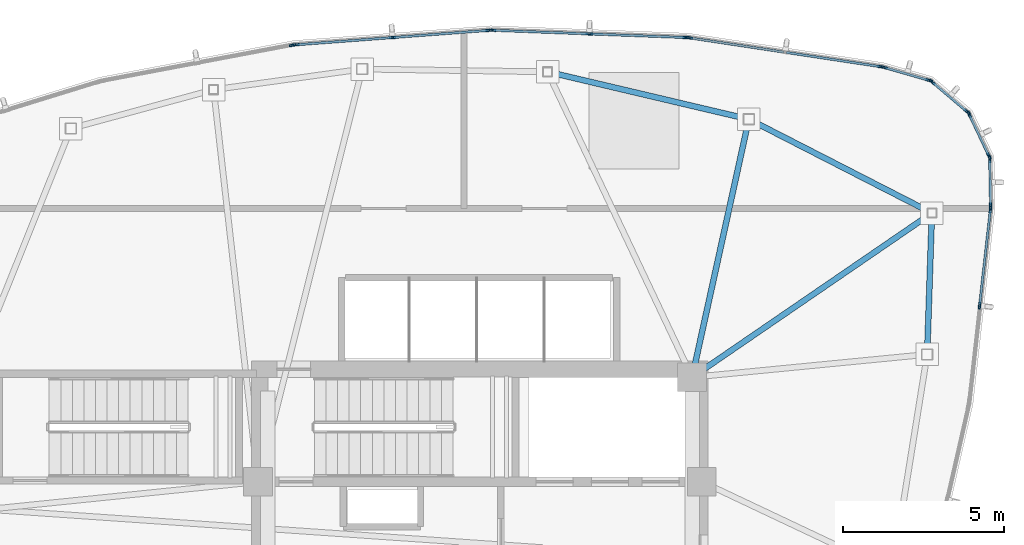
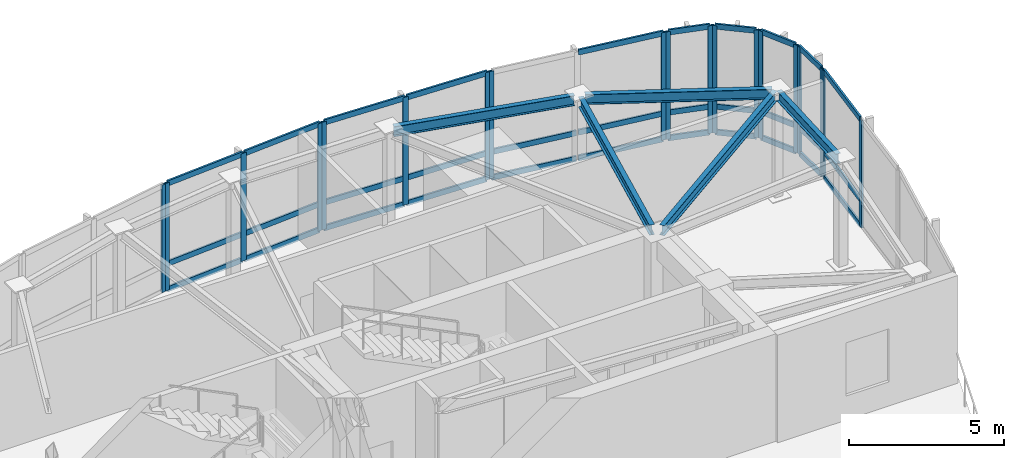
# One storey, part 7 of 16: 51 members, 5 beams, 9 elements without a shape of their own.
"""IFC4 building model written with IfcOpenShell, lengths in metres."""

from ifc_helpers import new_model, si_unit, direction, frame, origin, origin_2d, place, context, subcontext, project, spatial, hollow_rectangle, i_section, extrude, source, transform, mapped, material, layer, layer_set, material_profile, profile_set, type_object, type_shapes, element, aggregate, save


model = new_model("IFC4")

# Units and contexts
model_context = context("Model", 3, precision=1e-05, world=origin(), true_north=direction((0.0, 1.0)))
body_context = subcontext(model_context, "Body", "Model", "MODEL_VIEW")
ifc_project = project(units=[si_unit("LENGTHUNIT", "METRE"), si_unit("AREAUNIT", "SQUARE_METRE"), si_unit("VOLUMEUNIT", "CUBIC_METRE"), si_unit("PLANEANGLEUNIT", "RADIAN"), si_unit("MASSUNIT", "GRAM", prefix="KILO")], contexts=[model_context])

# Site, building, storey
site_placement = place(None, origin())
site = spatial("IfcSite", under=ifc_project, at=site_placement, CompositionType="ELEMENT")
building_placement = place(site_placement, origin())
building = spatial("IfcBuilding", under=site, at=building_placement, Name="Tavelor Broadcast Tower", CompositionType="ELEMENT")
storey_placement = place(building_placement, frame((0.0, 0.0, 332.10009765625)))
storey = spatial("IfcBuildingStorey", under=building, at=storey_placement, Name="L79", CompositionType="ELEMENT", Elevation=332.10009765625)

# Beams
ifc_material_1 = material(Name="Steel S355", Category="steel")
ifc_material_profile_1 = material_profile(ifc_material_1, i_section(OverallWidth=0.179931640625, OverallDepth=0.39990234375, WebThickness=0.008544921875, FlangeThickness=0.013427734375, at=origin_2d()), Name="IPE 400")
ifc_profile_set_1 = profile_set([ifc_material_profile_1], Name="Steel S355")
beam_type = type_object("IfcBeamType", Name="Crown Ring Spandrel Beam IPE400", PredefinedType="SPANDREL", material=ifc_profile_set_1)
beam_1_placement = place(storey_placement, frame((63.9169921875, 52.089111328125, 4.0498046875), z_axis=(0.033482656619, 0.99943929866, 0.0), x_axis=(-0.99943929866, 0.033482656619, 0.0)))
element("IfcBeam", 1, at=beam_1_placement, inside=storey, type_object=beam_type, Name="L79 Crown Peak A Ring Spandrel 5", PredefinedType="SPANDREL", context=body_context, shape_type="SweptSolid", body=[
    extrude(i_section(OverallWidth=0.179931640625, OverallDepth=0.39990234375, WebThickness=0.008544921875, FlangeThickness=0.013427734375, at=origin_2d()), origin(), (0.0, 0.0, 1.0), 4.068603515625),
])
beam_2_placement = place(storey_placement, frame((63.922119140625, 56.37841796875, 4.0498046875), z_axis=(-0.889973264193, 0.456012707083, 0.0), x_axis=(-0.456012707083, -0.889973264193, 0.0)))
element("IfcBeam", 2, at=beam_2_placement, inside=storey, type_object=beam_type, Name="L79 Crown Peak A Ring Spandrel 6", PredefinedType="SPANDREL", context=body_context, shape_type="SweptSolid", body=[
    extrude(i_section(OverallWidth=0.179931640625, OverallDepth=0.39990234375, WebThickness=0.008544921875, FlangeThickness=0.013427734375, at=origin_2d()), origin(), (0.0, 0.0, 1.0), 6.06689453125),
])
beam_3_placement = place(storey_placement, frame((56.956298828125, 51.444091796875, 4.0498046875), z_axis=(0.825037324604, 0.565078236185, 0.0), x_axis=(-0.565078236185, 0.825037324604, 0.0)))
element("IfcBeam", 3, at=beam_3_placement, inside=storey, type_object=beam_type, Name="L79 Crown Peak A Radial Beam 6", PredefinedType="SPANDREL", context=body_context, shape_type="SweptSolid", body=[
    extrude(i_section(OverallWidth=0.179931640625, OverallDepth=0.39990234375, WebThickness=0.008544921875, FlangeThickness=0.013427734375, at=origin_2d()), origin(), (0.0, 0.0, 1.0), 8.455078125),
])
beam_4_placement = place(storey_placement, frame((58.190185546875, 59.26708984375, 4.0498046875), z_axis=(-0.973331019838, 0.229405156485, 0.0), x_axis=(-0.229405156485, -0.973331019838, 0.0)))
element("IfcBeam", 4, at=beam_4_placement, inside=storey, type_object=beam_type, Name="L79 Crown Peak A Ring Spandrel 7", PredefinedType="SPANDREL", context=body_context, shape_type="SweptSolid", body=[
    extrude(i_section(OverallWidth=0.179931640625, OverallDepth=0.39990234375, WebThickness=0.008544921875, FlangeThickness=0.013427734375, at=origin_2d()), origin(), (0.0, 0.0, 1.0), 6.10009765625),
])
beam_5_placement = place(storey_placement, frame((56.692626953125, 51.621826171875, 4.0498046875), z_axis=(0.21466342247, 0.976688084832, 0.0), x_axis=(-0.976688084832, 0.21466342247, 0.0)))
element("IfcBeam", 5, at=beam_5_placement, inside=storey, type_object=beam_type, Name="L79 Crown Peak A Radial Beam 7", PredefinedType="SPANDREL", context=body_context, shape_type="SweptSolid", body=[
    extrude(i_section(OverallWidth=0.179931640625, OverallDepth=0.39990234375, WebThickness=0.008544921875, FlangeThickness=0.013427734375, at=origin_2d()), origin(), (0.0, 0.0, 1.0), 7.607421875),
])

# Curtain wall, members
ifc_material_2 = material(Name="Architectural Anodized Aluminium", Category="aluminium")
ifc_layer = layer(ifc_material_2, 0.2099609375)
ifc_layer_set = layer_set([ifc_layer], Name="Architectural Anodized Aluminium")
curtain_wall_type = type_object("IfcCurtainWallType", Name="Split-Crown Beacon Curtain Wall CW06", PredefinedType="NOTDEFINED", material=ifc_layer_set)
curtain_wall_1_placement = place(storey_placement, origin())
curtain_wall_1 = element("IfcCurtainWall", 6, at=curtain_wall_1_placement, inside=storey, type_object=curtain_wall_type, Name="L79 Curtain Wall CW06 Run 878", PredefinedType="NOTDEFINED")
ifc_material_profile_2 = material_profile(ifc_material_2, hollow_rectangle(XDim=0.072021484375, YDim=0.2099609375, WallThickness=0.02197265625, at=origin_2d()), Name="RHS 72x210x22")
ifc_profile_set_2 = profile_set([ifc_material_profile_2], Name="Architectural Anodized Aluminium")
member_type_1 = type_object("IfcMemberType", Name="CW06 Extruded Aluminium Mullion 72x210", PredefinedType="MULLION", material=ifc_profile_set_2)
shared_shape_1 = source(origin(), body_context, "Body", "SweptSolid", [
    extrude(hollow_rectangle(XDim=0.072021484375, YDim=0.2099609375, WallThickness=0.02197265625, at=origin_2d()), origin(), (0.0, 0.0, 1.0), 4.25),
])
type_shapes(member_type_1, [shared_shape_1])
member_1_placement = place(storey_placement, frame((65.541748046875, 53.4248046875, 0.0), z_axis=(0.0, 0.0, 1.0), x_axis=(-0.993728401427, 0.111820678752, 0.0)))
member_1 = element("IfcMember", 7, at=member_1_placement, type_object=member_type_1, Name="CW06 mullion 2", PredefinedType="MULLION", context=body_context, shape_type="MappedRepresentation", body=[
    mapped(shared_shape_1, transform((0.0, 0.0, 0.0), scale=1.0)),
])
member_2_placement = place(storey_placement, frame((65.878662109375, 56.41943359375, 0.0), z_axis=(0.0, 0.0, 1.0), x_axis=(-0.993728401427, 0.111820678752, 0.0)))
member_2 = element("IfcMember", 8, at=member_2_placement, type_object=member_type_1, Name="CW06 mullion 3", PredefinedType="MULLION", context=body_context, shape_type="MappedRepresentation", body=[
    mapped(shared_shape_1, transform((0.0, 0.0, 0.0), scale=1.0)),
])

curtain_wall_2_placement = place(storey_placement, origin())
curtain_wall_2 = element("IfcCurtainWall", 9, at=curtain_wall_2_placement, inside=storey, type_object=curtain_wall_type, Name="L79 Curtain Wall CW06 Run 879", PredefinedType="NOTDEFINED")
member_3_placement = place(storey_placement, frame((65.883544921875, 56.521240234375, 0.0), z_axis=(0.0, 0.0, 1.0), x_axis=(-0.99983158558, -0.018352124602, 0.0)))
member_3 = element("IfcMember", 10, at=member_3_placement, type_object=member_type_1, Name="CW06 mullion 1", PredefinedType="MULLION", context=body_context, shape_type="MappedRepresentation", body=[
    mapped(shared_shape_1, transform((0.0, 0.0, 0.0), scale=1.0)),
])
member_4_placement = place(storey_placement, frame((65.856689453125, 57.980224609375, 0.0), z_axis=(0.0, 0.0, 1.0), x_axis=(-0.99983158558, -0.018352124602, 0.0)))
member_4 = element("IfcMember", 11, at=member_4_placement, type_object=member_type_1, Name="CW06 mullion 2", PredefinedType="MULLION", context=body_context, shape_type="MappedRepresentation", body=[
    mapped(shared_shape_1, transform((0.0, 0.0, 0.0), scale=1.0)),
])

curtain_wall_3_placement = place(storey_placement, origin())
curtain_wall_3 = element("IfcCurtainWall", 12, at=curtain_wall_3_placement, inside=storey, type_object=curtain_wall_type, Name="L79 Curtain Wall CW06 Run 880", PredefinedType="NOTDEFINED")
member_5_placement = place(storey_placement, frame((65.833984375, 58.0771484375, 0.0), z_axis=(0.0, 0.0, 1.0), x_axis=(-0.903670411666, -0.428228662142, 0.0)))
member_5 = element("IfcMember", 13, at=member_5_placement, type_object=member_type_1, Name="CW06 mullion 1", PredefinedType="MULLION", context=body_context, shape_type="MappedRepresentation", body=[
    mapped(shared_shape_1, transform((0.0, 0.0, 0.0), scale=1.0)),
])
member_6_placement = place(storey_placement, frame((65.218017578125, 59.376953125, 0.0), z_axis=(0.0, 0.0, 1.0), x_axis=(-0.903670411666, -0.428228662142, 0.0)))
member_6 = element("IfcMember", 14, at=member_6_placement, type_object=member_type_1, Name="CW06 mullion 2", PredefinedType="MULLION", context=body_context, shape_type="MappedRepresentation", body=[
    mapped(shared_shape_1, transform((0.0, 0.0, 0.0), scale=1.0)),
])

curtain_wall_4_placement = place(storey_placement, origin())
curtain_wall_4 = element("IfcCurtainWall", 15, at=curtain_wall_4_placement, inside=storey, type_object=curtain_wall_type, Name="L79 Curtain Wall CW06 Run 881", PredefinedType="NOTDEFINED")
member_7_placement = place(storey_placement, frame((65.157470703125, 59.455810546875, 0.0), z_axis=(0.0, 0.0, 1.0), x_axis=(-0.647469645256, -0.762091240254, 0.0)))
member_7 = element("IfcMember", 16, at=member_7_placement, type_object=member_type_1, Name="CW06 mullion 1", PredefinedType="MULLION", context=body_context, shape_type="MappedRepresentation", body=[
    mapped(shared_shape_1, transform((0.0, 0.0, 0.0), scale=1.0)),
])
member_8_placement = place(storey_placement, frame((64.0615234375, 60.38720703125, 0.0), z_axis=(0.0, 0.0, 1.0), x_axis=(-0.647469645256, -0.762091240254, 0.0)))
member_8 = element("IfcMember", 17, at=member_8_placement, type_object=member_type_1, Name="CW06 mullion 2", PredefinedType="MULLION", context=body_context, shape_type="MappedRepresentation", body=[
    mapped(shared_shape_1, transform((0.0, 0.0, 0.0), scale=1.0)),
])

curtain_wall_5_placement = place(storey_placement, origin())
curtain_wall_5 = element("IfcCurtainWall", 18, at=curtain_wall_5_placement, inside=storey, type_object=curtain_wall_type, Name="L79 Curtain Wall CW06 Run 882", PredefinedType="NOTDEFINED")
member_9_placement = place(storey_placement, frame((63.973388671875, 60.43408203125, 0.0), z_axis=(0.0, 0.0, 1.0), x_axis=(-0.276514775884, -0.961009666298, 0.0)))
member_9 = element("IfcMember", 19, at=member_9_placement, type_object=member_type_1, Name="CW06 mullion 1", PredefinedType="MULLION", context=body_context, shape_type="MappedRepresentation", body=[
    mapped(shared_shape_1, transform((0.0, 0.0, 0.0), scale=1.0)),
])
member_10_placement = place(storey_placement, frame((62.5712890625, 60.837646484375, 0.0), z_axis=(0.0, 0.0, 1.0), x_axis=(-0.276514775884, -0.961009666298, 0.0)))
member_10 = element("IfcMember", 20, at=member_10_placement, type_object=member_type_1, Name="CW06 mullion 2", PredefinedType="MULLION", context=body_context, shape_type="MappedRepresentation", body=[
    mapped(shared_shape_1, transform((0.0, 0.0, 0.0), scale=1.0)),
])

curtain_wall_6_placement = place(storey_placement, origin())
curtain_wall_6 = element("IfcCurtainWall", 21, at=curtain_wall_6_placement, inside=storey, type_object=curtain_wall_type, Name="L79 Curtain Wall CW06 Run 883", PredefinedType="NOTDEFINED")
member_11_placement = place(storey_placement, frame((62.4716796875, 60.859375, 0.0), z_axis=(0.0, 0.0, 1.0), x_axis=(-0.149205506693, -0.988806207895, 0.0)))
member_11 = element("IfcMember", 22, at=member_11_placement, type_object=member_type_1, Name="CW06 mullion 1", PredefinedType="MULLION", context=body_context, shape_type="MappedRepresentation", body=[
    mapped(shared_shape_1, transform((0.0, 0.0, 0.0), scale=1.0)),
])
member_12_placement = place(storey_placement, frame((56.51220703125, 61.758544921875, 0.0), z_axis=(0.0, 0.0, 1.0), x_axis=(-0.149205506693, -0.988806207895, 0.0)))
member_12 = element("IfcMember", 23, at=member_12_placement, type_object=member_type_1, Name="CW06 mullion 3", PredefinedType="MULLION", context=body_context, shape_type="MappedRepresentation", body=[
    mapped(shared_shape_1, transform((0.0, 0.0, 0.0), scale=1.0)),
])

curtain_wall_7_placement = place(storey_placement, origin())
curtain_wall_7 = element("IfcCurtainWall", 24, at=curtain_wall_7_placement, inside=storey, type_object=curtain_wall_type, Name="L79 Curtain Wall CW06 Run 884", PredefinedType="NOTDEFINED")
member_13_placement = place(storey_placement, frame((56.410888671875, 61.76806640625, 0.0), z_axis=(0.0, 0.0, 1.0), x_axis=(-0.037457904524, -0.999298206437, 0.0)))
member_13 = element("IfcMember", 25, at=member_13_placement, type_object=member_type_1, Name="CW06 mullion 1", PredefinedType="MULLION", context=body_context, shape_type="MappedRepresentation", body=[
    mapped(shared_shape_1, transform((0.0, 0.0, 0.0), scale=1.0)),
])
member_14_placement = place(storey_placement, frame((53.39892578125, 61.881103515625, 0.0), z_axis=(0.0, 0.0, 1.0), x_axis=(-0.037457904524, -0.999298206437, 0.0)))
member_14 = element("IfcMember", 26, at=member_14_placement, type_object=member_type_1, Name="CW06 mullion 2", PredefinedType="MULLION", context=body_context, shape_type="MappedRepresentation", body=[
    mapped(shared_shape_1, transform((0.0, 0.0, 0.0), scale=1.0)),
])
member_15_placement = place(storey_placement, frame((50.386962890625, 61.993896484375, 0.0), z_axis=(0.0, 0.0, 1.0), x_axis=(-0.037457904524, -0.999298206437, 0.0)))
member_15 = element("IfcMember", 27, at=member_15_placement, type_object=member_type_1, Name="CW06 mullion 3", PredefinedType="MULLION", context=body_context, shape_type="MappedRepresentation", body=[
    mapped(shared_shape_1, transform((0.0, 0.0, 0.0), scale=1.0)),
])

curtain_wall_8_placement = place(storey_placement, origin())
curtain_wall_8 = element("IfcCurtainWall", 28, at=curtain_wall_8_placement, inside=storey, type_object=curtain_wall_type, Name="L79 Curtain Wall CW06 Run 885", PredefinedType="NOTDEFINED")
member_16_placement = place(storey_placement, frame((50.28515625, 61.9921875, 0.0), z_axis=(0.0, 0.0, 1.0), x_axis=(0.074700700927, -0.997205999421, 0.0)))
member_16 = element("IfcMember", 29, at=member_16_placement, type_object=member_type_1, Name="CW06 mullion 1", PredefinedType="MULLION", context=body_context, shape_type="MappedRepresentation", body=[
    mapped(shared_shape_1, transform((0.0, 0.0, 0.0), scale=1.0)),
])
member_17_placement = place(storey_placement, frame((47.279296875, 61.766845703125, 0.0), z_axis=(0.0, 0.0, 1.0), x_axis=(0.074700700927, -0.997205999421, 0.0)))
member_17 = element("IfcMember", 30, at=member_17_placement, type_object=member_type_1, Name="CW06 mullion 2", PredefinedType="MULLION", context=body_context, shape_type="MappedRepresentation", body=[
    mapped(shared_shape_1, transform((0.0, 0.0, 0.0), scale=1.0)),
])
member_18_placement = place(storey_placement, frame((44.273681640625, 61.541748046875, 0.0), z_axis=(0.0, 0.0, 1.0), x_axis=(0.074700700927, -0.997205999421, 0.0)))
member_18 = element("IfcMember", 31, at=member_18_placement, type_object=member_type_1, Name="CW06 mullion 3", PredefinedType="MULLION", context=body_context, shape_type="MappedRepresentation", body=[
    mapped(shared_shape_1, transform((0.0, 0.0, 0.0), scale=1.0)),
])

# Curtain wall, member
curtain_wall_9_placement = place(storey_placement, origin())
curtain_wall_9 = element("IfcCurtainWall", 32, at=curtain_wall_9_placement, inside=storey, type_object=curtain_wall_type, Name="L79 Curtain Wall CW06 Run 886", PredefinedType="NOTDEFINED")
member_19_placement = place(storey_placement, frame((44.172607421875, 61.528564453125, 0.0), z_axis=(0.0, 0.0, 1.0), x_axis=(0.185942140658, -0.982560695493, 0.0)))
member_19 = element("IfcMember", 33, at=member_19_placement, type_object=member_type_1, Name="CW06 mullion 1", PredefinedType="MULLION", context=body_context, shape_type="MappedRepresentation", body=[
    mapped(shared_shape_1, transform((0.0, 0.0, 0.0), scale=1.0)),
])
aggregate(curtain_wall_9, [member_19])

# Member
ifc_material_profile_3 = material_profile(ifc_material_2, hollow_rectangle(XDim=0.072021484375, YDim=0.2099609375, WallThickness=0.02197265625, at=origin_2d()), Name="RHS 72x210x22")
ifc_profile_set_3 = profile_set([ifc_material_profile_3], Name="Architectural Anodized Aluminium")
member_type_2 = type_object("IfcMemberType", Name="CW06 Extruded Aluminium Transom 72x210", PredefinedType="USERDEFINED", material=ifc_profile_set_3)
shared_shape_2 = source(origin(), body_context, "Body", "SweptSolid", [
    extrude(hollow_rectangle(XDim=0.072021484375, YDim=0.2099609375, WallThickness=0.02197265625, at=origin_2d()), origin(), (0.0, 0.0, 1.0), 2.941650390625),
])
member_20_placement = place(storey_placement, frame((65.545654296875, 53.460693359375, 0.035888671875), z_axis=(0.111879805731, 0.9937217463, 0.0), x_axis=(-0.9937217463, 0.111879805731, 0.0)))
member_20 = element("IfcMember", 34, at=member_20_placement, type_object=member_type_2, Name="CW06 transom 2.1", ObjectType="TRANSOM", PredefinedType="USERDEFINED", context=body_context, shape_type="MappedRepresentation", body=[
    mapped(shared_shape_2, transform((0.0, 0.0, 0.0), scale=1.0)),
])

member_21_placement = place(storey_placement, frame((65.545654296875, 53.460693359375, 1.0498046875), z_axis=(0.111879805731, 0.9937217463, 0.0), x_axis=(-0.9937217463, 0.111879805731, 0.0)))
member_21 = element("IfcMember", 35, at=member_21_placement, type_object=member_type_2, Name="CW06 transom 2.2", ObjectType="TRANSOM", PredefinedType="USERDEFINED", context=body_context, shape_type="MappedRepresentation", body=[
    mapped(shared_shape_2, transform((0.0, 0.0, 0.0), scale=1.0)),
])

member_22_placement = place(storey_placement, frame((65.545654296875, 53.460693359375, 4.2138671875), z_axis=(0.111879805731, 0.9937217463, 0.0), x_axis=(-0.9937217463, 0.111879805731, 0.0)))
member_22 = element("IfcMember", 36, at=member_22_placement, type_object=member_type_2, Name="CW06 transom 2.3", ObjectType="TRANSOM", PredefinedType="USERDEFINED", context=body_context, shape_type="MappedRepresentation", body=[
    mapped(shared_shape_2, transform((0.0, 0.0, 0.0), scale=1.0)),
])

aggregate(curtain_wall_1, [member_1, member_2, member_20, member_21, member_22])

shared_shape_3 = source(origin(), body_context, "Body", "SweptSolid", [
    extrude(hollow_rectangle(XDim=0.072021484375, YDim=0.2099609375, WallThickness=0.02197265625, at=origin_2d()), origin(), (0.0, 0.0, 1.0), 1.38720703125),
])
member_23_placement = place(storey_placement, frame((65.8828125, 56.55712890625, 0.035888671875), z_axis=(-0.018303569348, 0.999832475642, 0.0), x_axis=(-0.999832475642, -0.018303569348, 0.0)))
member_23 = element("IfcMember", 37, at=member_23_placement, type_object=member_type_2, Name="CW06 transom 1.1", ObjectType="TRANSOM", PredefinedType="USERDEFINED", context=body_context, shape_type="MappedRepresentation", body=[
    mapped(shared_shape_3, transform((0.0, 0.0, 0.0), scale=1.0)),
])

member_24_placement = place(storey_placement, frame((65.8828125, 56.55712890625, 1.0498046875), z_axis=(-0.018303569348, 0.999832475642, 0.0), x_axis=(-0.999832475642, -0.018303569348, 0.0)))
member_24 = element("IfcMember", 38, at=member_24_placement, type_object=member_type_2, Name="CW06 transom 1.2", ObjectType="TRANSOM", PredefinedType="USERDEFINED", context=body_context, shape_type="MappedRepresentation", body=[
    mapped(shared_shape_3, transform((0.0, 0.0, 0.0), scale=1.0)),
])

member_25_placement = place(storey_placement, frame((65.8828125, 56.55712890625, 4.2138671875), z_axis=(-0.018303569348, 0.999832475642, 0.0), x_axis=(-0.999832475642, -0.018303569348, 0.0)))
member_25 = element("IfcMember", 39, at=member_25_placement, type_object=member_type_2, Name="CW06 transom 1.3", ObjectType="TRANSOM", PredefinedType="USERDEFINED", context=body_context, shape_type="MappedRepresentation", body=[
    mapped(shared_shape_3, transform((0.0, 0.0, 0.0), scale=1.0)),
])

aggregate(curtain_wall_2, [member_3, member_4, member_23, member_24, member_25])

member_26_placement = place(storey_placement, frame((63.93896484375, 60.444091796875, 0.035888671875), z_axis=(-0.961024312154, 0.276463870059, 0.0), x_axis=(-0.276463870059, -0.961024312154, 0.0)))
member_26 = element("IfcMember", 40, at=member_26_placement, type_object=member_type_2, Name="CW06 transom 1.1", ObjectType="TRANSOM", PredefinedType="USERDEFINED", context=body_context, shape_type="MappedRepresentation", body=[
    mapped(shared_shape_3, transform((0.0, 0.0, 0.0), scale=1.0)),
])

member_27_placement = place(storey_placement, frame((63.93896484375, 60.444091796875, 1.0498046875), z_axis=(-0.961024312154, 0.276463870059, 0.0), x_axis=(-0.276463870059, -0.961024312154, 0.0)))
member_27 = element("IfcMember", 41, at=member_27_placement, type_object=member_type_2, Name="CW06 transom 1.2", ObjectType="TRANSOM", PredefinedType="USERDEFINED", context=body_context, shape_type="MappedRepresentation", body=[
    mapped(shared_shape_3, transform((0.0, 0.0, 0.0), scale=1.0)),
])

member_28_placement = place(storey_placement, frame((63.93896484375, 60.444091796875, 4.2138671875), z_axis=(-0.961024312154, 0.276463870059, 0.0), x_axis=(-0.276463870059, -0.961024312154, 0.0)))
member_28 = element("IfcMember", 42, at=member_28_placement, type_object=member_type_2, Name="CW06 transom 1.3", ObjectType="TRANSOM", PredefinedType="USERDEFINED", context=body_context, shape_type="MappedRepresentation", body=[
    mapped(shared_shape_3, transform((0.0, 0.0, 0.0), scale=1.0)),
])

aggregate(curtain_wall_5, [member_9, member_10, member_26, member_27, member_28])

shared_shape_4 = source(origin(), body_context, "Body", "SweptSolid", [
    extrude(hollow_rectangle(XDim=0.072021484375, YDim=0.2099609375, WallThickness=0.02197265625, at=origin_2d()), origin(), (0.0, 0.0, 1.0), 1.365966796875),
])
member_29_placement = place(storey_placement, frame((65.818603515625, 58.10986328125, 0.035888671875), z_axis=(-0.428239998875, 0.903665039361, 0.0), x_axis=(-0.903665039361, -0.428239998875, 0.0)))
member_29 = element("IfcMember", 43, at=member_29_placement, type_object=member_type_2, Name="CW06 transom 1.1", ObjectType="TRANSOM", PredefinedType="USERDEFINED", context=body_context, shape_type="MappedRepresentation", body=[
    mapped(shared_shape_4, transform((0.0, 0.0, 0.0), scale=1.0)),
])

member_30_placement = place(storey_placement, frame((65.818603515625, 58.10986328125, 1.0498046875), z_axis=(-0.428239998875, 0.903665039361, 0.0), x_axis=(-0.903665039361, -0.428239998875, 0.0)))
member_30 = element("IfcMember", 44, at=member_30_placement, type_object=member_type_2, Name="CW06 transom 1.2", ObjectType="TRANSOM", PredefinedType="USERDEFINED", context=body_context, shape_type="MappedRepresentation", body=[
    mapped(shared_shape_4, transform((0.0, 0.0, 0.0), scale=1.0)),
])

member_31_placement = place(storey_placement, frame((65.818603515625, 58.10986328125, 4.2138671875), z_axis=(-0.428239998875, 0.903665039361, 0.0), x_axis=(-0.903665039361, -0.428239998875, 0.0)))
member_31 = element("IfcMember", 45, at=member_31_placement, type_object=member_type_2, Name="CW06 transom 1.3", ObjectType="TRANSOM", PredefinedType="USERDEFINED", context=body_context, shape_type="MappedRepresentation", body=[
    mapped(shared_shape_4, transform((0.0, 0.0, 0.0), scale=1.0)),
])

aggregate(curtain_wall_3, [member_5, member_6, member_29, member_30, member_31])

shared_shape_5 = source(origin(), body_context, "Body", "SweptSolid", [
    extrude(hollow_rectangle(XDim=0.072021484375, YDim=0.2099609375, WallThickness=0.02197265625, at=origin_2d()), origin(), (0.0, 0.0, 1.0), 1.3662109375),
])
member_32_placement = place(storey_placement, frame((65.130126953125, 59.479248046875, 0.035888671875), z_axis=(-0.762137688835, 0.647414969906, 0.0), x_axis=(-0.647414969906, -0.762137688835, 0.0)))
member_32 = element("IfcMember", 46, at=member_32_placement, type_object=member_type_2, Name="CW06 transom 1.1", ObjectType="TRANSOM", PredefinedType="USERDEFINED", context=body_context, shape_type="MappedRepresentation", body=[
    mapped(shared_shape_5, transform((0.0, 0.0, 0.0), scale=1.0)),
])

member_33_placement = place(storey_placement, frame((65.130126953125, 59.479248046875, 1.0498046875), z_axis=(-0.762137688835, 0.647414969906, 0.0), x_axis=(-0.647414969906, -0.762137688835, 0.0)))
member_33 = element("IfcMember", 47, at=member_33_placement, type_object=member_type_2, Name="CW06 transom 1.2", ObjectType="TRANSOM", PredefinedType="USERDEFINED", context=body_context, shape_type="MappedRepresentation", body=[
    mapped(shared_shape_5, transform((0.0, 0.0, 0.0), scale=1.0)),
])

member_34_placement = place(storey_placement, frame((65.130126953125, 59.479248046875, 4.2138671875), z_axis=(-0.762137688835, 0.647414969906, 0.0), x_axis=(-0.647414969906, -0.762137688835, 0.0)))
member_34 = element("IfcMember", 48, at=member_34_placement, type_object=member_type_2, Name="CW06 transom 1.3", ObjectType="TRANSOM", PredefinedType="USERDEFINED", context=body_context, shape_type="MappedRepresentation", body=[
    mapped(shared_shape_5, transform((0.0, 0.0, 0.0), scale=1.0)),
])

aggregate(curtain_wall_4, [member_7, member_8, member_32, member_33, member_34])

shared_shape_6 = source(origin(), body_context, "Body", "SweptSolid", [
    extrude(hollow_rectangle(XDim=0.072021484375, YDim=0.2099609375, WallThickness=0.02197265625, at=origin_2d()), origin(), (0.0, 0.0, 1.0), 2.94140625),
])
member_35_placement = place(storey_placement, frame((62.43603515625, 60.86474609375, 0.035888671875), z_axis=(-0.988801397793, 0.149237380444, 0.0), x_axis=(-0.149237380444, -0.988801397793, 0.0)))
member_35 = element("IfcMember", 49, at=member_35_placement, type_object=member_type_2, Name="CW06 transom 1.1", ObjectType="TRANSOM", PredefinedType="USERDEFINED", context=body_context, shape_type="MappedRepresentation", body=[
    mapped(shared_shape_6, transform((0.0, 0.0, 0.0), scale=1.0)),
])

member_36_placement = place(storey_placement, frame((62.43603515625, 60.86474609375, 1.0498046875), z_axis=(-0.988801397793, 0.149237380444, 0.0), x_axis=(-0.149237380444, -0.988801397793, 0.0)))
member_36 = element("IfcMember", 50, at=member_36_placement, type_object=member_type_2, Name="CW06 transom 1.2", ObjectType="TRANSOM", PredefinedType="USERDEFINED", context=body_context, shape_type="MappedRepresentation", body=[
    mapped(shared_shape_6, transform((0.0, 0.0, 0.0), scale=1.0)),
])

member_37_placement = place(storey_placement, frame((62.43603515625, 60.86474609375, 4.2138671875), z_axis=(-0.988801397793, 0.149237380444, 0.0), x_axis=(-0.149237380444, -0.988801397793, 0.0)))
member_37 = element("IfcMember", 51, at=member_37_placement, type_object=member_type_2, Name="CW06 transom 1.3", ObjectType="TRANSOM", PredefinedType="USERDEFINED", context=body_context, shape_type="MappedRepresentation", body=[
    mapped(shared_shape_6, transform((0.0, 0.0, 0.0), scale=1.0)),
])

member_38_placement = place(storey_placement, frame((59.456298828125, 61.314453125, 0.035888671875), z_axis=(-0.988813642881, 0.149156225657, 0.0), x_axis=(-0.149156225657, -0.988813642881, 0.0)))
member_38 = element("IfcMember", 52, at=member_38_placement, type_object=member_type_2, Name="CW06 transom 2.1", ObjectType="TRANSOM", PredefinedType="USERDEFINED", context=body_context, shape_type="MappedRepresentation", body=[
    mapped(shared_shape_6, transform((0.0, 0.0, 0.0), scale=1.0)),
])

member_39_placement = place(storey_placement, frame((59.456298828125, 61.314453125, 1.0498046875), z_axis=(-0.988813642881, 0.149156225657, 0.0), x_axis=(-0.149156225657, -0.988813642881, 0.0)))
member_39 = element("IfcMember", 53, at=member_39_placement, type_object=member_type_2, Name="CW06 transom 2.2", ObjectType="TRANSOM", PredefinedType="USERDEFINED", context=body_context, shape_type="MappedRepresentation", body=[
    mapped(shared_shape_6, transform((0.0, 0.0, 0.0), scale=1.0)),
])

aggregate(curtain_wall_6, [member_11, member_12, member_35, member_36, member_37, member_38, member_39])

shared_shape_7 = source(origin(), body_context, "Body", "SweptSolid", [
    extrude(hollow_rectangle(XDim=0.072021484375, YDim=0.2099609375, WallThickness=0.02197265625, at=origin_2d()), origin(), (0.0, 0.0, 1.0), 2.94189453125),
])
member_40_placement = place(storey_placement, frame((56.374755859375, 61.76953125, 0.035888671875), z_axis=(-0.999299401414, 0.037426011463, 0.0), x_axis=(-0.037426011463, -0.999299401414, 0.0)))
member_40 = element("IfcMember", 54, at=member_40_placement, type_object=member_type_2, Name="CW06 transom 1.1", ObjectType="TRANSOM", PredefinedType="USERDEFINED", context=body_context, shape_type="MappedRepresentation", body=[
    mapped(shared_shape_7, transform((0.0, 0.0, 0.0), scale=1.0)),
])

member_41_placement = place(storey_placement, frame((56.374755859375, 61.76953125, 1.0498046875), z_axis=(-0.999299401414, 0.037426011463, 0.0), x_axis=(-0.037426011463, -0.999299401414, 0.0)))
member_41 = element("IfcMember", 55, at=member_41_placement, type_object=member_type_2, Name="CW06 transom 1.2", ObjectType="TRANSOM", PredefinedType="USERDEFINED", context=body_context, shape_type="MappedRepresentation", body=[
    mapped(shared_shape_7, transform((0.0, 0.0, 0.0), scale=1.0)),
])

member_42_placement = place(storey_placement, frame((56.374755859375, 61.76953125, 4.2138671875), z_axis=(-0.999299401414, 0.037426011463, 0.0), x_axis=(-0.037426011463, -0.999299401414, 0.0)))
member_42 = element("IfcMember", 56, at=member_42_placement, type_object=member_type_2, Name="CW06 transom 1.3", ObjectType="TRANSOM", PredefinedType="USERDEFINED", context=body_context, shape_type="MappedRepresentation", body=[
    mapped(shared_shape_7, transform((0.0, 0.0, 0.0), scale=1.0)),
])

member_43_placement = place(storey_placement, frame((53.36279296875, 61.88232421875, 0.035888671875), z_axis=(-0.999296294384, 0.037508879344, 0.0), x_axis=(-0.037508879344, -0.999296294384, 0.0)))
member_43 = element("IfcMember", 57, at=member_43_placement, type_object=member_type_2, Name="CW06 transom 2.1", ObjectType="TRANSOM", PredefinedType="USERDEFINED", context=body_context, shape_type="MappedRepresentation", body=[
    mapped(shared_shape_7, transform((0.0, 0.0, 0.0), scale=1.0)),
])

member_44_placement = place(storey_placement, frame((53.36279296875, 61.88232421875, 1.0498046875), z_axis=(-0.999296294384, 0.037508879344, 0.0), x_axis=(-0.037508879344, -0.999296294384, 0.0)))
member_44 = element("IfcMember", 58, at=member_44_placement, type_object=member_type_2, Name="CW06 transom 2.2", ObjectType="TRANSOM", PredefinedType="USERDEFINED", context=body_context, shape_type="MappedRepresentation", body=[
    mapped(shared_shape_7, transform((0.0, 0.0, 0.0), scale=1.0)),
])

member_45_placement = place(storey_placement, frame((53.36279296875, 61.88232421875, 4.2138671875), z_axis=(-0.999296294384, 0.037508879344, 0.0), x_axis=(-0.037508879344, -0.999296294384, 0.0)))
member_45 = element("IfcMember", 59, at=member_45_placement, type_object=member_type_2, Name="CW06 transom 2.3", ObjectType="TRANSOM", PredefinedType="USERDEFINED", context=body_context, shape_type="MappedRepresentation", body=[
    mapped(shared_shape_7, transform((0.0, 0.0, 0.0), scale=1.0)),
])

aggregate(curtain_wall_7, [member_13, member_14, member_15, member_40, member_41, member_42, member_43, member_44, member_45])

shared_shape_8 = source(origin(), body_context, "Body", "SweptSolid", [
    extrude(hollow_rectangle(XDim=0.072021484375, YDim=0.2099609375, WallThickness=0.02197265625, at=origin_2d()), origin(), (0.0, 0.0, 1.0), 2.9423828125),
])
member_46_placement = place(storey_placement, frame((50.249267578125, 61.989501953125, 0.035888671875), z_axis=(-0.997201475398, -0.074761069174, 0.0), x_axis=(0.074761069174, -0.997201475398, 0.0)))
member_46 = element("IfcMember", 60, at=member_46_placement, type_object=member_type_2, Name="CW06 transom 1.1", ObjectType="TRANSOM", PredefinedType="USERDEFINED", context=body_context, shape_type="MappedRepresentation", body=[
    mapped(shared_shape_8, transform((0.0, 0.0, 0.0), scale=1.0)),
])

member_47_placement = place(storey_placement, frame((50.249267578125, 61.989501953125, 1.0498046875), z_axis=(-0.997201475398, -0.074761069174, 0.0), x_axis=(0.074761069174, -0.997201475398, 0.0)))
member_47 = element("IfcMember", 61, at=member_47_placement, type_object=member_type_2, Name="CW06 transom 1.2", ObjectType="TRANSOM", PredefinedType="USERDEFINED", context=body_context, shape_type="MappedRepresentation", body=[
    mapped(shared_shape_8, transform((0.0, 0.0, 0.0), scale=1.0)),
])

member_48_placement = place(storey_placement, frame((50.249267578125, 61.989501953125, 4.2138671875), z_axis=(-0.997201475398, -0.074761069174, 0.0), x_axis=(0.074761069174, -0.997201475398, 0.0)))
member_48 = element("IfcMember", 62, at=member_48_placement, type_object=member_type_2, Name="CW06 transom 1.3", ObjectType="TRANSOM", PredefinedType="USERDEFINED", context=body_context, shape_type="MappedRepresentation", body=[
    mapped(shared_shape_8, transform((0.0, 0.0, 0.0), scale=1.0)),
])

shared_shape_9 = source(origin(), body_context, "Body", "SweptSolid", [
    extrude(hollow_rectangle(XDim=0.072021484375, YDim=0.2099609375, WallThickness=0.02197265625, at=origin_2d()), origin(), (0.0, 0.0, 1.0), 2.942138671875),
])
type_shapes(member_type_2, [shared_shape_2, shared_shape_3, shared_shape_4, shared_shape_5, shared_shape_6, shared_shape_7, shared_shape_8, shared_shape_9])
member_49_placement = place(storey_placement, frame((47.243408203125, 61.76416015625, 0.035888671875), z_axis=(-0.997207195205, -0.074684736264, 0.0), x_axis=(0.074684736264, -0.997207195205, 0.0)))
member_49 = element("IfcMember", 63, at=member_49_placement, type_object=member_type_2, Name="CW06 transom 2.1", ObjectType="TRANSOM", PredefinedType="USERDEFINED", context=body_context, shape_type="MappedRepresentation", body=[
    mapped(shared_shape_9, transform((0.0, 0.0, 0.0), scale=1.0)),
])

member_50_placement = place(storey_placement, frame((47.243408203125, 61.76416015625, 1.0498046875), z_axis=(-0.997207195205, -0.074684736264, 0.0), x_axis=(0.074684736264, -0.997207195205, 0.0)))
member_50 = element("IfcMember", 64, at=member_50_placement, type_object=member_type_2, Name="CW06 transom 2.2", ObjectType="TRANSOM", PredefinedType="USERDEFINED", context=body_context, shape_type="MappedRepresentation", body=[
    mapped(shared_shape_9, transform((0.0, 0.0, 0.0), scale=1.0)),
])

member_51_placement = place(storey_placement, frame((47.243408203125, 61.76416015625, 4.2138671875), z_axis=(-0.997207195205, -0.074684736264, 0.0), x_axis=(0.074684736264, -0.997207195205, 0.0)))
member_51 = element("IfcMember", 65, at=member_51_placement, type_object=member_type_2, Name="CW06 transom 2.3", ObjectType="TRANSOM", PredefinedType="USERDEFINED", context=body_context, shape_type="MappedRepresentation", body=[
    mapped(shared_shape_9, transform((0.0, 0.0, 0.0), scale=1.0)),
])

aggregate(curtain_wall_8, [member_16, member_17, member_18, member_46, member_47, member_48, member_49, member_50, member_51])

save(model, "model.ifc")
